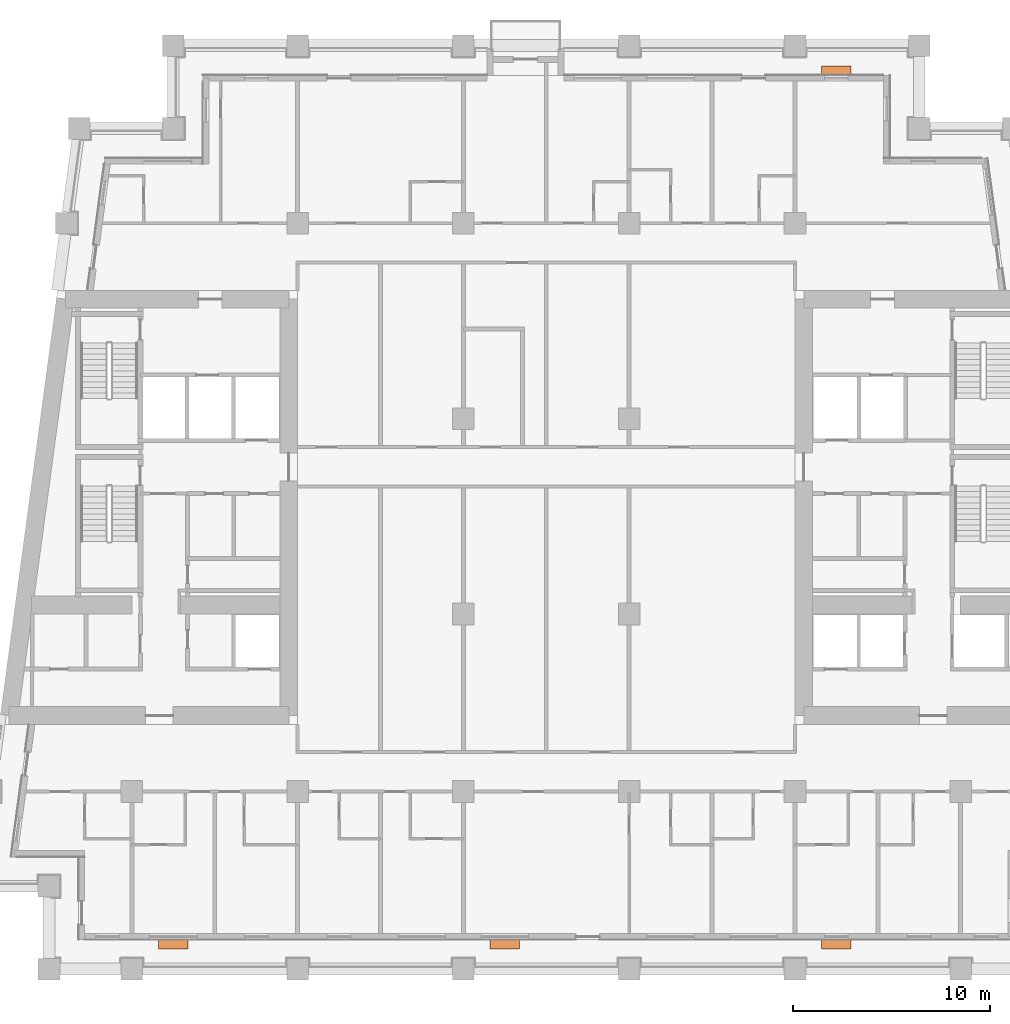
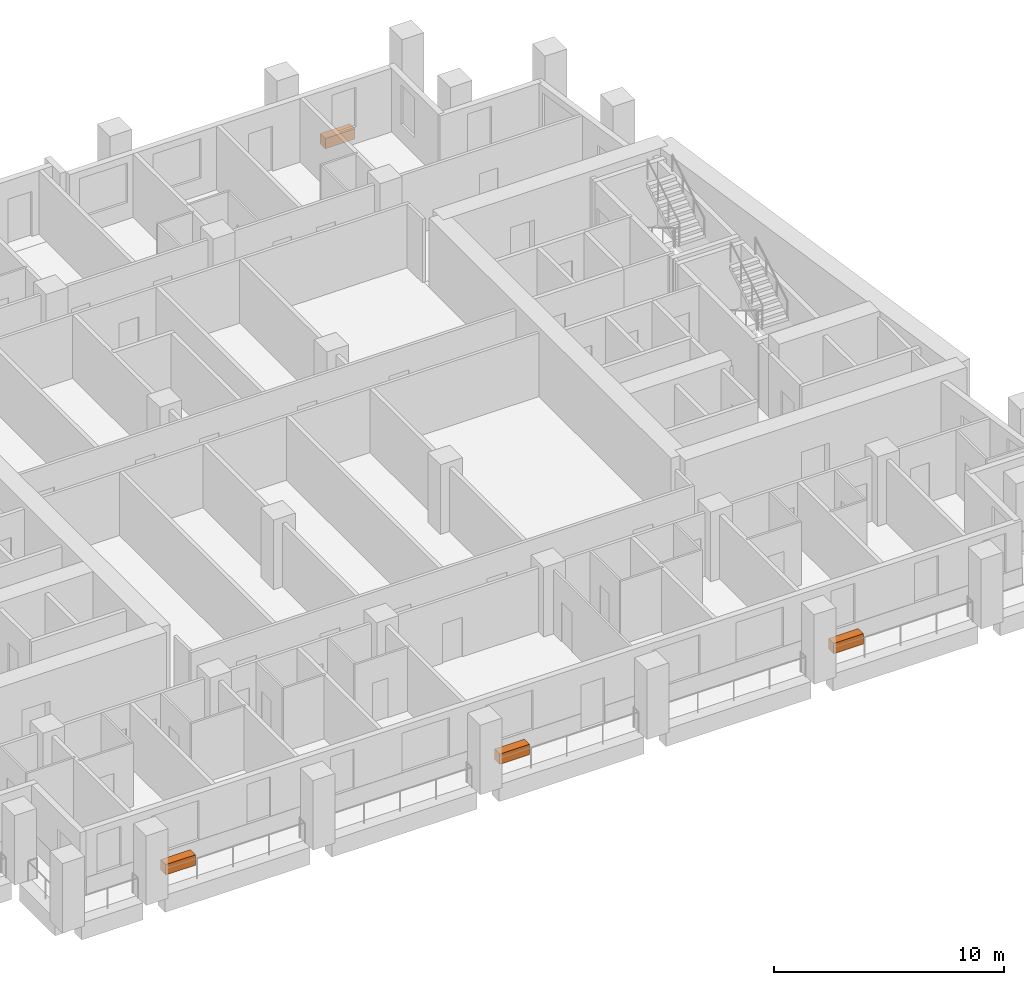
# One storey, part 13 of 13: 4 proxies.
"""IFC4 building model written with IfcOpenShell, lengths in metres."""

from ifc_helpers import new_model, si_unit, direction, frame, origin, origin_2d, place, context, subcontext, project, spatial, rectangle, extrude, element, save


model = new_model("IFC4")

# Units and contexts
model_context = context("Model", 3, precision=1e-05, world=origin(), true_north=direction((0.0, 1.0)))
body_context = subcontext(model_context, "Body", "Model", "MODEL_VIEW")
ifc_project = project(units=[si_unit("LENGTHUNIT", "METRE"), si_unit("AREAUNIT", "SQUARE_METRE"), si_unit("VOLUMEUNIT", "CUBIC_METRE"), si_unit("PLANEANGLEUNIT", "RADIAN"), si_unit("MASSUNIT", "GRAM", prefix="KILO")], contexts=[model_context])

# Site, building, storey
site_placement = place(None, origin())
site = spatial("IfcSite", under=ifc_project, at=site_placement, CompositionType="ELEMENT")
building_placement = place(site_placement, origin())
building = spatial("IfcBuilding", under=site, at=building_placement, Name="Candeia Pilgrim Tower and Theatre", CompositionType="ELEMENT")
storey_placement = place(building_placement, frame((0.0, 0.0, 177.39990234375)))
storey = spatial("IfcBuildingStorey", under=building, at=storey_placement, Name="L42", CompositionType="ELEMENT", Elevation=177.39990234375)

# Proxies
for number, where, z_axis, x_axis, name in (
    (1, (94.5, 99.2548828125, 0.0), (0.0, 0.0, 1.0), (1.0, 0.0, 0.0), "Planter"),
    (2, (111.300048828125, 99.2548828125, 0.0), (0.0, 0.0, 1.0), (1.0, 0.0, 0.0), "Planter"),
    (3, (128.10009765625, 99.2548828125, 0.0), (0.0, 0.0, 1.0), (1.0, 0.0, 0.0), "Planter"),
    (4, (128.10009765625, 143.544921875, 0.0), (0.0, 0.0, 1.0), (-1.0, 0.0, 0.0), "Planter"),
):
    element("IfcBuildingElementProxy", number, at=place(storey_placement, frame(where, z_axis=z_axis, x_axis=x_axis)), inside=storey, Name=name, ObjectType="PLANTER", PredefinedType="USERDEFINED", context=body_context, shape_type="SweptSolid", body=[
        extrude(rectangle(XDim=1.5, YDim=0.449951171875, at=origin_2d()), origin(), (0.0, 0.0, 1.0), 0.550048828125),
    ])

save(model, "model.ifc")
